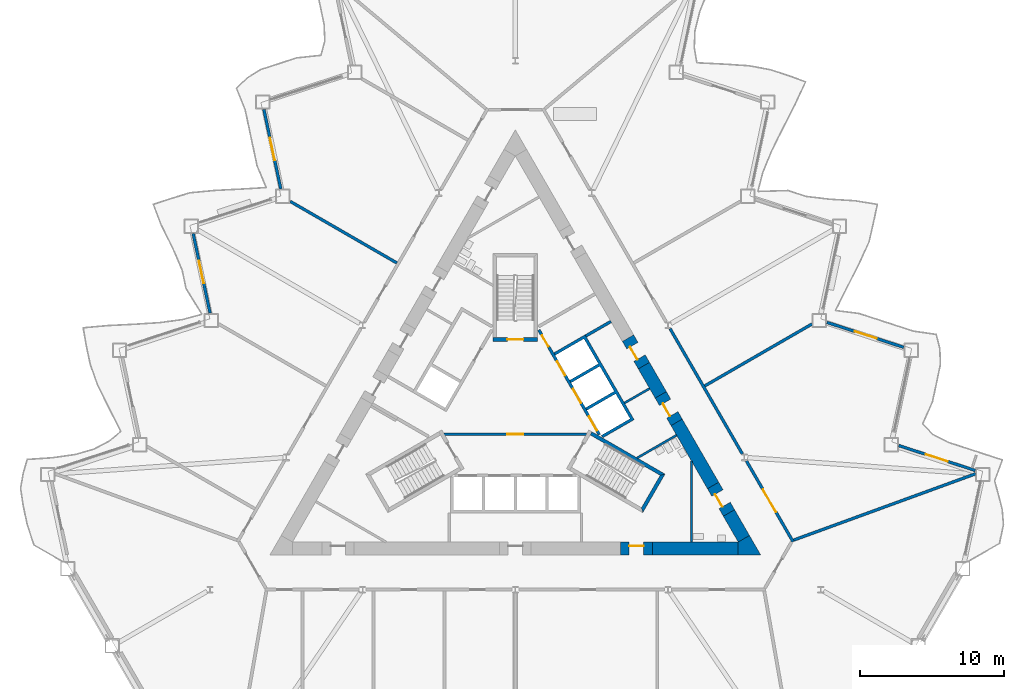
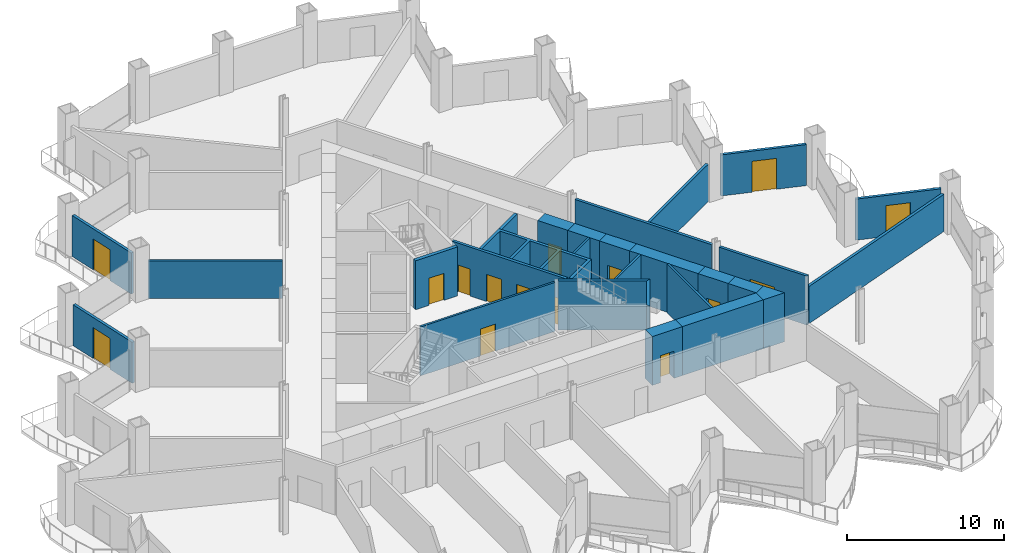
# One storey, part 11 of 21: 28 walls, 15 doors, 15 openings.
"""IFC4 building model written with IfcOpenShell, lengths in metres."""

from ifc_helpers import new_model, si_unit, direction, frame, frame_2d, origin, place, context, subcontext, project, spatial, polyline, rectangle, outline, extrude, material, layer, layer_set, type_object, element, fill, save


model = new_model("IFC4")

# Units and contexts
model_context = context("Model", 3, precision=1e-05, world=origin(), true_north=direction((0.0, 1.0)))
body_context = subcontext(model_context, "Body", "Model", "MODEL_VIEW")
ifc_project = project(units=[si_unit("LENGTHUNIT", "METRE"), si_unit("AREAUNIT", "SQUARE_METRE"), si_unit("VOLUMEUNIT", "CUBIC_METRE"), si_unit("PLANEANGLEUNIT", "RADIAN"), si_unit("MASSUNIT", "GRAM", prefix="KILO")], contexts=[model_context])

# Site, building, storey
site_placement = place(None, origin())
site = spatial("IfcSite", under=ifc_project, at=site_placement, CompositionType="ELEMENT")
building_placement = place(site_placement, origin())
building = spatial("IfcBuilding", under=site, at=building_placement, Name="Cormorant Prow Tower", CompositionType="ELEMENT")
storey_placement = place(building_placement, frame((0.0, 0.0, 72.0)))
storey = spatial("IfcBuildingStorey", under=building, at=storey_placement, Name="L15", CompositionType="ELEMENT", Elevation=72.0)

# Wall, opening, door
ifc_material_1 = material(Name="Gypsum board partition")
ifc_layer_1 = layer(ifc_material_1, 0.14990234375)
ifc_layer_set_1 = layer_set([ifc_layer_1], Name="Gypsum board partition")
wall_type_1 = type_object("IfcWallType", Name="Core partition 150", PredefinedType="PARTITIONING", material=ifc_layer_set_1)
wall_1_placement = place(storey_placement, frame((-4.941162109375, -1.449951171875, 0.0), z_axis=(0.0, 0.0, 1.0), x_axis=(1.0, 0.0, 0.0)))
wall_1 = element("IfcWall", 1, at=wall_1_placement, inside=storey, type_object=wall_type_1, Name="Firefighting lobby partition", PredefinedType="PARTITIONING", context=body_context, shape_type="SweptSolid", body=[
    extrude(rectangle(XDim=9.88232421875, YDim=0.14990234375, at=frame_2d((4.941162109375, 0.0))), origin(), (0.0, 0.0, 1.0), 3.800048828125),
])
opening_1_placement = place(wall_1_placement, frame((4.39111328125, 0.0, 0.0)))
opening_1 = element("IfcOpeningElement", 2, at=opening_1_placement, cuts=wall_1, Name="Opening L15-C10", PredefinedType="OPENING", context=body_context, shape_type="SweptSolid", body=[
    extrude(rectangle(XDim=1.10009765625, YDim=2.10009765625, at=frame_2d((0.550048828125, 1.050048828125))), frame((0.0, 0.0849609375, 0.0), z_axis=(0.0, -1.0, 0.0), x_axis=(1.0, 0.0, 0.0)), (0.0, 0.0, 1.0), 0.169921875),
])
ifc_material_2 = material(Name="Painted steel", Category="steel")
door_type_1 = type_object("IfcDoorType", Name="Firefighting lobby door 1100x2100", OperationType="NOTDEFINED", PredefinedType="DOOR", material=ifc_material_2)
door_1_placement = place(opening_1_placement, origin())
door_1 = element("IfcDoor", 3, at=door_1_placement, inside=storey, type_object=door_type_1, Name="Firefighting lobby door", OperationType="SINGLE_SWING_LEFT", OverallHeight=2.10009765625, OverallWidth=1.10009765625, PredefinedType="DOOR", context=body_context, shape_type="SweptSolid", body=[
    extrude(rectangle(XDim=1.10009765625, YDim=2.10009765625, at=frame_2d((0.550048828125, 1.050048828125))), frame((0.0, 0.02490234375, 0.0), z_axis=(0.0, -1.0, 0.0), x_axis=(1.0, 0.0, 0.0)), (0.0, 0.0, 1.0), 0.050048828125),
])
fill(opening_1, door_1)

# Walls
wall_2_placement = place(storey_placement, frame((9.3017578125, 1.71875, 0.0), z_axis=(0.0, 0.0, 1.0), x_axis=(-0.866035824272, -0.499981950752, 0.0)))
element("IfcWall", 4, at=wall_2_placement, inside=storey, type_object=wall_type_1, Name="Service room partition", PredefinedType="PARTITIONING", context=body_context, shape_type="SweptSolid", body=[
    extrude(rectangle(XDim=2.0087890625, YDim=0.14990234375, at=frame_2d((1.00439453125, 0.0))), origin(), (0.0, 0.0, 1.0), 3.800048828125),
])
wall_3_placement = place(storey_placement, frame((11.169921875, -1.516845703125, 0.0), z_axis=(0.0, 0.0, 1.0), x_axis=(-0.866037599206, -0.499978876315, 0.0)))
element("IfcWall", 5, at=wall_3_placement, inside=storey, type_object=wall_type_1, Name="Service room partition", PredefinedType="PARTITIONING", context=body_context, shape_type="SweptSolid", body=[
    extrude(rectangle(XDim=3.159423828125, YDim=0.14990234375, at=frame_2d((1.57958984375, 0.0))), origin(), (0.0, 0.0, 1.0), 3.800048828125),
])
wall_4_placement = place(storey_placement, frame((12.203857421875, -8.9150390625, 0.0), z_axis=(0.0, 0.0, 1.0), x_axis=(0.0, 1.0, 0.0)))
element("IfcWall", 6, at=wall_4_placement, inside=storey, type_object=wall_type_1, Name="Service room partition", PredefinedType="PARTITIONING", context=body_context, shape_type="SweptSolid", body=[
    extrude(rectangle(XDim=5.607421875, YDim=0.14990234375, at=frame_2d((2.8037109375, 0.0))), origin(), (0.0, 0.0, 1.0), 3.800048828125),
])
ifc_material_3 = material(Name="Concrete 8000 psi", Category="concrete")
ifc_layer_2 = layer(ifc_material_3, 0.89990234375)
ifc_layer_set_2 = layer_set([ifc_layer_2], Name="Concrete 8000 psi")
wall_type_2 = type_object("IfcWallType", Name="Core shear wall 900", PredefinedType="SHEAR", material=ifc_layer_set_2)
wall_5_placement = place(storey_placement, frame((9.489501953125, -9.364990234375, 0.0), z_axis=(0.0, 0.0, 1.0), x_axis=(1.0, 0.0, 0.0)))
element("IfcWall", 7, at=wall_5_placement, inside=storey, type_object=wall_type_2, Name="Core wall", PredefinedType="SHEAR", context=body_context, shape_type="SweptSolid", body=[
    extrude(rectangle(XDim=5.95166015625, YDim=0.89990234375, at=frame_2d((2.975830078125, 0.0))), origin(), (0.0, 0.0, 1.0), 3.800048828125),
])
wall_6_placement = place(storey_placement, frame((13.69970703125, -4.998779296875, 0.0), z_axis=(0.0, 0.0, 1.0), x_axis=(-0.499993158726, 0.86602935356, 0.0)))
element("IfcWall", 8, at=wall_6_placement, inside=storey, type_object=wall_type_2, Name="Core wall", PredefinedType="SHEAR", context=body_context, shape_type="SweptSolid", body=[
    extrude(rectangle(XDim=5.04833984375, YDim=0.89990234375, at=frame_2d((2.524169921875, 0.0))), origin(), (0.0, 0.0, 1.0), 3.800048828125),
])
wall_7_placement = place(storey_placement, frame((10.075439453125, 1.278564453125, 0.0), z_axis=(0.0, 0.0, 1.0), x_axis=(-0.500026924946, 0.866009858102, 0.0)))
element("IfcWall", 9, at=wall_7_placement, inside=storey, type_object=wall_type_2, Name="Core wall", PredefinedType="SHEAR", context=body_context, shape_type="SweptSolid", body=[
    extrude(rectangle(XDim=2.336669921875, YDim=0.89990234375, at=frame_2d((1.16845703125, 0.0))), origin(), (0.0, 0.0, 1.0), 3.800048828125),
])
wall_8_placement = place(storey_placement, frame((15.830810546875, -8.68994140625, 0.0), z_axis=(0.0, 0.0, 1.0), x_axis=(-0.499971832445, 0.866041665719, 0.0)))
element("IfcWall", 10, at=wall_8_placement, inside=storey, type_object=wall_type_2, Name="Core wall", PredefinedType="SHEAR", context=body_context, shape_type="SweptSolid", body=[
    extrude(rectangle(XDim=2.06201171875, YDim=0.89990234375, at=frame_2d((1.031005859375, 0.0))), origin(), (0.0, 0.0, 1.0), 3.800048828125),
])
wall_9_placement = place(storey_placement, origin())
element("IfcWall", 11, at=wall_9_placement, inside=storey, type_object=wall_type_2, Name="Core wall corner", PredefinedType="SHEAR", context=body_context, shape_type="SweptSolid", body=[
    extrude(outline(polyline([(15.441162109375, -9.81494140625), (15.441162109375, -8.9150390625), (16.220703125, -8.465087890625), (17.0, -9.81494140625), (15.441162109375, -9.81494140625)])), origin(), (0.0, 0.0, 1.0), 3.800048828125),
])

# Wall, opening, door
wall_10_placement = place(storey_placement, frame((14.7998046875, -6.904052734375, 0.0), z_axis=(0.0, 0.0, 1.0), x_axis=(-0.50002983664, 0.866008176907, 0.0)))
wall_10 = element("IfcWall", 12, at=wall_10_placement, inside=storey, type_object=wall_type_2, Name="Core wall door panel", PredefinedType="SHEAR", context=body_context, shape_type="SweptSolid", body=[
    extrude(rectangle(XDim=2.199951171875, YDim=0.89990234375, at=frame_2d((1.10009765625, 0.0))), origin(), (0.0, 0.0, 1.0), 3.800048828125),
])
opening_2_placement = place(wall_10_placement, frame((0.60009765625, 0.0, 0.0)))
opening_2 = element("IfcOpeningElement", 13, at=opening_2_placement, cuts=wall_10, Name="Opening L15-C16", PredefinedType="OPENING", context=body_context, shape_type="SweptSolid", body=[
    extrude(rectangle(XDim=1.0, YDim=2.10009765625, at=frame_2d((0.5, 1.050048828125))), frame((0.0, 0.4599609375, 0.0), z_axis=(0.0, -1.0, 0.0), x_axis=(1.0, 0.0, 0.0)), (0.0, 0.0, 1.0), 0.919921875),
])
ifc_material_4 = material(Name="Painted steel", Category="steel")
door_type_2 = type_object("IfcDoorType", Name="Service door 1000x2100", OperationType="NOTDEFINED", PredefinedType="DOOR", material=ifc_material_4)
door_2_placement = place(opening_2_placement, origin())
door_2 = element("IfcDoor", 14, at=door_2_placement, inside=storey, type_object=door_type_2, Name="Core door, Accessible WC L15", OperationType="SINGLE_SWING_RIGHT", OverallHeight=2.10009765625, OverallWidth=1.0, PredefinedType="DOOR", context=body_context, shape_type="SweptSolid", body=[
    extrude(rectangle(XDim=1.0, YDim=2.10009765625, at=frame_2d((0.5, 1.050048828125))), frame((0.0, 0.205078125, 0.0), z_axis=(0.0, -1.0, 0.0), x_axis=(1.0, 0.0, 0.0)), (0.0, 0.0, 1.0), 0.050048828125),
])
fill(opening_2, door_2)

wall_11_placement = place(storey_placement, frame((7.289306640625, -9.364990234375, 0.0), z_axis=(0.0, 0.0, 1.0), x_axis=(1.0, 0.0, 0.0)))
wall_11 = element("IfcWall", 15, at=wall_11_placement, inside=storey, type_object=wall_type_2, Name="Core wall door panel", PredefinedType="SHEAR", context=body_context, shape_type="SweptSolid", body=[
    extrude(rectangle(XDim=2.2001953125, YDim=0.89990234375, at=frame_2d((1.10009765625, 0.0))), origin(), (0.0, 0.0, 1.0), 3.800048828125),
])
opening_3_placement = place(wall_11_placement, frame((0.60009765625, 0.0, 0.0)))
opening_3 = element("IfcOpeningElement", 16, at=opening_3_placement, cuts=wall_11, Name="Opening L15-C17", PredefinedType="OPENING", context=body_context, shape_type="SweptSolid", body=[
    extrude(rectangle(XDim=1.0, YDim=2.10009765625, at=frame_2d((0.5, 1.050048828125))), frame((0.0, 0.4599609375, 0.0), z_axis=(0.0, -1.0, 0.0), x_axis=(1.0, 0.0, 0.0)), (0.0, 0.0, 1.0), 0.919921875),
])
door_3_placement = place(opening_3_placement, origin())
door_3 = element("IfcDoor", 17, at=door_3_placement, inside=storey, type_object=door_type_2, Name="Core door, Toilets (men) L15", OperationType="SINGLE_SWING_RIGHT", OverallHeight=2.10009765625, OverallWidth=1.0, PredefinedType="DOOR", context=body_context, shape_type="SweptSolid", body=[
    extrude(rectangle(XDim=1.0, YDim=2.10009765625, at=frame_2d((0.5, 1.050048828125))), frame((0.0, 0.205078125, 0.0), z_axis=(0.0, -1.0, 0.0), x_axis=(1.0, 0.0, 0.0)), (0.0, 0.0, 1.0), 0.050048828125),
])
fill(opening_3, door_3)

wall_12_placement = place(storey_placement, frame((11.175537109375, -0.626708984375, 0.0), z_axis=(0.0, 0.0, 1.0), x_axis=(-0.499946605688, 0.86605622881, 0.0)))
wall_12 = element("IfcWall", 18, at=wall_12_placement, inside=storey, type_object=wall_type_2, Name="Core wall door panel", PredefinedType="SHEAR", context=body_context, shape_type="SweptSolid", body=[
    extrude(rectangle(XDim=2.199951171875, YDim=0.89990234375, at=frame_2d((1.10009765625, 0.0))), origin(), (0.0, 0.0, 1.0), 3.800048828125),
])
opening_4_placement = place(wall_12_placement, frame((0.60009765625, 0.0, 0.0)))
opening_4 = element("IfcOpeningElement", 19, at=opening_4_placement, cuts=wall_12, Name="Opening L15-C19", PredefinedType="OPENING", context=body_context, shape_type="SweptSolid", body=[
    extrude(rectangle(XDim=1.0, YDim=2.10009765625, at=frame_2d((0.5, 1.050048828125))), frame((0.0, 0.4599609375, 0.0), z_axis=(0.0, -1.0, 0.0), x_axis=(1.0, 0.0, 0.0)), (0.0, 0.0, 1.0), 0.919921875),
])
door_4_placement = place(opening_4_placement, origin())
door_4 = element("IfcDoor", 20, at=door_4_placement, inside=storey, type_object=door_type_2, Name="Core door, Electrical room", OperationType="SINGLE_SWING_LEFT", OverallHeight=2.10009765625, OverallWidth=1.0, PredefinedType="DOOR", context=body_context, shape_type="SweptSolid", body=[
    extrude(rectangle(XDim=1.0, YDim=2.10009765625, at=frame_2d((0.5, 1.050048828125))), frame((0.0, 0.205078125, 0.0), z_axis=(0.0, -1.0, 0.0), x_axis=(1.0, 0.0, 0.0)), (0.0, 0.0, 1.0), 0.050048828125),
])
fill(opening_4, door_4)

wall_13_placement = place(storey_placement, frame((8.9072265625, 3.30224609375, 0.0), z_axis=(0.0, 0.0, 1.0), x_axis=(-0.50002983664, 0.866008176907, 0.0)))
wall_13 = element("IfcWall", 21, at=wall_13_placement, inside=storey, type_object=wall_type_2, Name="Core wall door panel", PredefinedType="SHEAR", context=body_context, shape_type="SweptSolid", body=[
    extrude(rectangle(XDim=2.199951171875, YDim=0.89990234375, at=frame_2d((1.10009765625, 0.0))), origin(), (0.0, 0.0, 1.0), 3.800048828125),
])
opening_5_placement = place(wall_13_placement, frame((0.60009765625, 0.0, 0.0)))
opening_5 = element("IfcOpeningElement", 22, at=opening_5_placement, cuts=wall_13, Name="Opening L15-C20", PredefinedType="OPENING", context=body_context, shape_type="SweptSolid", body=[
    extrude(rectangle(XDim=1.0, YDim=2.10009765625, at=frame_2d((0.5, 1.050048828125))), frame((0.0, 0.4599609375, 0.0), z_axis=(0.0, -1.0, 0.0), x_axis=(1.0, 0.0, 0.0)), (0.0, 0.0, 1.0), 0.919921875),
])
door_5_placement = place(opening_5_placement, origin())
door_5 = element("IfcDoor", 23, at=door_5_placement, inside=storey, type_object=door_type_2, Name="Core door, Linen store", OperationType="SINGLE_SWING_RIGHT", OverallHeight=2.10009765625, OverallWidth=1.0, PredefinedType="DOOR", context=body_context, shape_type="SweptSolid", body=[
    extrude(rectangle(XDim=1.0, YDim=2.10009765625, at=frame_2d((0.5, 1.050048828125))), frame((0.0, 0.205078125, 0.0), z_axis=(0.0, -1.0, 0.0), x_axis=(1.0, 0.0, 0.0)), (0.0, 0.0, 1.0), 0.050048828125),
])
fill(opening_5, door_5)

# Wall
ifc_material_5 = material(Name="Gypsum board corridor wall")
ifc_layer_3 = layer(ifc_material_5, 0.199951171875)
ifc_layer_set_3 = layer_set([ifc_layer_3], Name="Gypsum board corridor wall")
wall_type_3 = type_object("IfcWallType", Name="Corridor wall 200", PredefinedType="PARTITIONING", material=ifc_layer_set_3)
wall_14_placement = place(storey_placement, frame((10.718505859375, 5.865234375, 0.0), z_axis=(0.0, 0.0, 1.0), x_axis=(0.49999175339, -0.866030164915, 0.0)))
element("IfcWall", 24, at=wall_14_placement, inside=storey, type_object=wall_type_3, Name="Corridor wall", PredefinedType="PARTITIONING", context=body_context, shape_type="SweptSolid", body=[
    extrude(rectangle(XDim=10.018798828125, YDim=0.199951171875, at=frame_2d((5.00927734375, 0.0))), origin(), (0.0, 0.0, 1.0), 3.800048828125),
])

# Wall, opening, door
wall_15_placement = place(storey_placement, frame((16.007568359375, -3.2958984375, 0.0), z_axis=(0.0, 0.0, 1.0), x_axis=(0.499984737558, -0.86603421538, 0.0)))
wall_15 = element("IfcWall", 25, at=wall_15_placement, inside=storey, type_object=wall_type_3, Name="Corridor wall", PredefinedType="PARTITIONING", context=body_context, shape_type="SweptSolid", body=[
    extrude(rectangle(XDim=6.472900390625, YDim=0.199951171875, at=frame_2d((3.236328125, 0.0))), origin(), (0.0, 0.0, 1.0), 3.800048828125),
])
opening_6_placement = place(wall_15_placement, frame((2.285400390625, 0.0, 0.0)))
opening_6 = element("IfcOpeningElement", 26, at=opening_6_placement, cuts=wall_15, Name="Opening L15-F08", PredefinedType="OPENING", context=body_context, shape_type="SweptSolid", body=[
    extrude(rectangle(XDim=1.800048828125, YDim=2.10009765625, at=frame_2d((0.89990234375, 1.050048828125))), frame((0.0, 0.10986328125, 0.0), z_axis=(0.0, -1.0, 0.0), x_axis=(1.0, 0.0, 0.0)), (0.0, 0.0, 1.0), 0.219970703125),
])
ifc_material_6 = material(Name="Timber door leaf", Category="wood")
door_type_3 = type_object("IfcDoorType", Name="Double door 1800x2100", OperationType="DOUBLE_DOOR_SINGLE_SWING", PredefinedType="DOOR", material=ifc_material_6)
door_6_placement = place(opening_6_placement, origin())
door_6 = element("IfcDoor", 27, at=door_6_placement, inside=storey, type_object=door_type_3, Name="Open-plan office door", OperationType="DOUBLE_DOOR_SINGLE_SWING", OverallHeight=2.10009765625, OverallWidth=1.800048828125, PredefinedType="DOOR", context=body_context, shape_type="SweptSolid", body=[
    extrude(rectangle(XDim=1.800048828125, YDim=2.10009765625, at=frame_2d((0.89990234375, 1.050048828125))), frame((0.0, 0.02490234375, 0.0), z_axis=(0.0, -1.0, 0.0), x_axis=(1.0, 0.0, 0.0)), (0.0, 0.0, 1.0), 0.050048828125),
])
fill(opening_6, door_6)

# Walls
ifc_material_7 = material(Name="Gypsum board demising wall")
ifc_layer_4 = layer(ifc_material_7, 0.199951171875)
ifc_layer_set_4 = layer_set([ifc_layer_4], Name="Gypsum board demising wall")
wall_type_4 = type_object("IfcWallType", Name="Demising wall 200", PredefinedType="PARTITIONING", material=ifc_layer_set_4)
wall_16_placement = place(storey_placement, frame((19.287841796875, -8.78076171875, 0.0), z_axis=(0.0, 0.0, 1.0), x_axis=(0.939515478087, 0.34250644729, 0.0)))
element("IfcWall", 28, at=wall_16_placement, inside=storey, type_object=wall_type_4, Name="Demising wall", PredefinedType="PARTITIONING", context=body_context, shape_type="SweptSolid", body=[
    extrude(rectangle(XDim=13.402099609375, YDim=0.199951171875, at=frame_2d((6.701171875, 0.0))), origin(), (0.0, 0.0, 1.0), 2.88525390625),
])
wall_17_placement = place(storey_placement, frame((13.12353515625, 1.899169921875, 0.0), z_axis=(0.0, 0.0, 1.0), x_axis=(0.866024086673, 0.500002281298, 0.0)))
element("IfcWall", 29, at=wall_17_placement, inside=storey, type_object=wall_type_4, Name="Demising wall", PredefinedType="PARTITIONING", context=body_context, shape_type="SweptSolid", body=[
    extrude(rectangle(XDim=8.58447265625, YDim=0.199951171875, at=frame_2d((4.292236328125, 0.0))), origin(), (0.0, 0.0, 1.0), 2.88525390625),
])
wall_18_placement = place(storey_placement, frame((-15.591796875, 14.6796875, 0.0), z_axis=(0.0, 0.0, 1.0), x_axis=(0.866023490266, -0.500003314297, 0.0)))
element("IfcWall", 30, at=wall_18_placement, inside=storey, type_object=wall_type_4, Name="Demising wall", PredefinedType="PARTITIONING", context=body_context, shape_type="SweptSolid", body=[
    extrude(rectangle(XDim=8.52783203125, YDim=0.199951171875, at=frame_2d((4.263916015625, 0.0))), origin(), (0.0, 0.0, 1.0), 2.88525390625),
])

# Wall, openings, doors
ifc_material_8 = material(Name="Concrete 5000 psi", Category="concrete")
ifc_layer_5 = layer(ifc_material_8, 0.199951171875)
ifc_layer_set_5 = layer_set([ifc_layer_5], Name="Concrete 5000 psi")
wall_type_5 = type_object("IfcWallType", Name="Lift lobby wall 200", PredefinedType="SOLIDWALL", material=ifc_layer_set_5)
wall_19_placement = place(storey_placement, frame((5.817138671875, -1.4755859375, 0.0), z_axis=(0.0, 0.0, 1.0), x_axis=(-0.500002616675, 0.866023893041, 0.0)))
wall_19 = element("IfcWall", 31, at=wall_19_placement, inside=storey, type_object=wall_type_5, Name="Lift lobby wall, ENE block", PredefinedType="SOLIDWALL", context=body_context, shape_type="SweptSolid", body=[
    extrude(rectangle(XDim=8.373046875, YDim=0.199951171875, at=frame_2d((4.1865234375, 0.0))), origin(), (0.0, 0.0, 1.0), 3.800048828125),
])
opening_7_placement = place(wall_19_placement, frame((0.336669921875, 0.0, 0.0)))
opening_7 = element("IfcOpeningElement", 32, at=opening_7_placement, cuts=wall_19, Name="Opening L15-C05", PredefinedType="OPENING", context=body_context, shape_type="SweptSolid", body=[
    extrude(rectangle(XDim=1.10009765625, YDim=2.10009765625, at=frame_2d((0.550048828125, 1.050048828125))), frame((0.0, 0.10986328125, 0.0), z_axis=(0.0, -1.0, 0.0), x_axis=(1.0, 0.0, 0.0)), (0.0, 0.0, 1.0), 0.219970703125),
])
opening_8_placement = place(wall_19_placement, frame((2.53662109375, 0.0, 0.0)))
opening_8 = element("IfcOpeningElement", 33, at=opening_8_placement, cuts=wall_19, Name="Opening L15-C06", PredefinedType="OPENING", context=body_context, shape_type="SweptSolid", body=[
    extrude(rectangle(XDim=1.10009765625, YDim=2.10009765625, at=frame_2d((0.550048828125, 1.050048828125))), frame((0.0, 0.10986328125, 0.0), z_axis=(0.0, -1.0, 0.0), x_axis=(1.0, 0.0, 0.0)), (0.0, 0.0, 1.0), 0.219970703125),
])
opening_9_placement = place(wall_19_placement, frame((4.736572265625, 0.0, 0.0)))
opening_9 = element("IfcOpeningElement", 34, at=opening_9_placement, cuts=wall_19, Name="Opening L15-C07", PredefinedType="OPENING", context=body_context, shape_type="SweptSolid", body=[
    extrude(rectangle(XDim=1.10009765625, YDim=2.10009765625, at=frame_2d((0.550048828125, 1.050048828125))), frame((0.0, 0.10986328125, 0.0), z_axis=(0.0, -1.0, 0.0), x_axis=(1.0, 0.0, 0.0)), (0.0, 0.0, 1.0), 0.219970703125),
])
opening_10_placement = place(wall_19_placement, frame((7.03662109375, 0.0, 0.0)))
opening_10 = element("IfcOpeningElement", 35, at=opening_10_placement, cuts=wall_19, Name="Opening L15-C08", PredefinedType="OPENING", context=body_context, shape_type="SweptSolid", body=[
    extrude(rectangle(XDim=0.89990234375, YDim=2.10009765625, at=frame_2d((0.449951171875, 1.050048828125))), frame((0.0, 0.10986328125, 0.0), z_axis=(0.0, -1.0, 0.0), x_axis=(1.0, 0.0, 0.0)), (0.0, 0.0, 1.0), 0.219970703125),
])
ifc_material_9 = material(Name="Painted steel", Category="steel")
door_type_4 = type_object("IfcDoorType", Name="Lift landing door 1100x2100", OperationType="SLIDING_TO_LEFT", PredefinedType="DOOR", material=ifc_material_9)
door_7_placement = place(opening_7_placement, origin())
door_7 = element("IfcDoor", 36, at=door_7_placement, inside=storey, type_object=door_type_4, Name="Landing door LR2", OperationType="SLIDING_TO_LEFT", OverallHeight=2.10009765625, OverallWidth=1.10009765625, PredefinedType="DOOR", context=body_context, shape_type="SweptSolid", body=[
    extrude(rectangle(XDim=1.10009765625, YDim=2.10009765625, at=frame_2d((0.550048828125, 1.050048828125))), frame((0.0, 0.02490234375, 0.0), z_axis=(0.0, -1.0, 0.0), x_axis=(1.0, 0.0, 0.0)), (0.0, 0.0, 1.0), 0.050048828125),
])
fill(opening_7, door_7)
door_8_placement = place(opening_8_placement, origin())
door_8 = element("IfcDoor", 37, at=door_8_placement, inside=storey, type_object=door_type_4, Name="Landing door LR3", OperationType="SLIDING_TO_LEFT", OverallHeight=2.10009765625, OverallWidth=1.10009765625, PredefinedType="DOOR", context=body_context, shape_type="SweptSolid", body=[
    extrude(rectangle(XDim=1.10009765625, YDim=2.10009765625, at=frame_2d((0.550048828125, 1.050048828125))), frame((0.0, 0.02490234375, 0.0), z_axis=(0.0, -1.0, 0.0), x_axis=(1.0, 0.0, 0.0)), (0.0, 0.0, 1.0), 0.050048828125),
])
fill(opening_8, door_8)
door_9_placement = place(opening_9_placement, origin())
door_9 = element("IfcDoor", 38, at=door_9_placement, inside=storey, type_object=door_type_4, Name="Landing door LR4", OperationType="SLIDING_TO_LEFT", OverallHeight=2.10009765625, OverallWidth=1.10009765625, PredefinedType="DOOR", context=body_context, shape_type="SweptSolid", body=[
    extrude(rectangle(XDim=1.10009765625, YDim=2.10009765625, at=frame_2d((0.550048828125, 1.050048828125))), frame((0.0, 0.02490234375, 0.0), z_axis=(0.0, -1.0, 0.0), x_axis=(1.0, 0.0, 0.0)), (0.0, 0.0, 1.0), 0.050048828125),
])
fill(opening_9, door_9)
ifc_material_10 = material(Name="Painted steel", Category="steel")
door_type_5 = type_object("IfcDoorType", Name="Service door 900x2100", OperationType="NOTDEFINED", PredefinedType="DOOR", material=ifc_material_10)
door_10_placement = place(opening_10_placement, origin())
door_10 = element("IfcDoor", 39, at=door_10_placement, inside=storey, type_object=door_type_5, Name="Service door, Linen store", OperationType="SINGLE_SWING_RIGHT", OverallHeight=2.10009765625, OverallWidth=0.89990234375, PredefinedType="DOOR", context=body_context, shape_type="SweptSolid", body=[
    extrude(rectangle(XDim=0.89990234375, YDim=2.10009765625, at=frame_2d((0.449951171875, 1.050048828125))), frame((0.0, 0.02490234375, 0.0), z_axis=(0.0, -1.0, 0.0), x_axis=(1.0, 0.0, 0.0)), (0.0, 0.0, 1.0), 0.050048828125),
])
fill(opening_10, door_10)

# Walls
ifc_material_11 = material(Name="Concrete 8000 psi", Category="concrete")
ifc_layer_6 = layer(ifc_material_11, 0.199951171875)
ifc_layer_set_6 = layer_set([ifc_layer_6], Name="Concrete 8000 psi")
wall_type_6 = type_object("IfcWallType", Name="Lift shaft wall 200", PredefinedType="SHEAR", material=ifc_layer_set_6)
wall_20_placement = place(storey_placement, origin())
element("IfcWall", 40, at=wall_20_placement, inside=storey, type_object=wall_type_6, Name="Lift shaft walls, ENE block", PredefinedType="SHEAR", context=body_context, shape_type="SweptSolid", body=[
    extrude(outline(polyline([(2.660400390625, 4.19189453125), (4.830810546875, 5.44482421875), (8.230712890625, -0.444091796875), (6.060546875, -1.697021484375), (5.96044921875, -1.52392578125), (7.952392578125, -0.373779296875), (6.952392578125, 1.358154296875), (4.96044921875, 0.2080078125), (4.860595703125, 0.38134765625), (6.852294921875, 1.53125), (5.852294921875, 3.263427734375), (3.860595703125, 2.11328125), (3.760498046875, 2.28662109375), (5.75244140625, 3.4365234375), (4.75244140625, 5.168701171875), (2.760498046875, 4.018798828125), (2.660400390625, 4.19189453125)])), origin(), (0.0, 0.0, 1.0), 3.800048828125),
])
wall_21_placement = place(storey_placement, frame((4.880859375, 5.3583984375, 0.0), z_axis=(0.0, 0.0, 1.0), x_axis=(0.866035824272, 0.499981950752, 0.0)))
element("IfcWall", 41, at=wall_21_placement, inside=storey, type_object=wall_type_6, Name="Store side wall", PredefinedType="SHEAR", context=body_context, shape_type="SweptSolid", body=[
    extrude(rectangle(XDim=2.0087890625, YDim=0.199951171875, at=frame_2d((1.00439453125, 0.0))), origin(), (0.0, 0.0, 1.0), 3.800048828125),
])
ifc_material_12 = material(Name="Concrete 8000 psi", Category="concrete")
ifc_layer_7 = layer(ifc_material_12, 0.25)
ifc_layer_set_7 = layer_set([ifc_layer_7], Name="Concrete 8000 psi")
wall_type_7 = type_object("IfcWallType", Name="Stair wall 250", PredefinedType="SHEAR", material=ifc_layer_set_7)
wall_22_placement = place(storey_placement, origin())
element("IfcWall", 42, at=wall_22_placement, inside=storey, type_object=wall_type_7, Name="Stair ST2 enclosure wall (end)", PredefinedType="SHEAR", context=body_context, shape_type="SweptSolid", body=[
    extrude(outline(polyline([(8.82958984375, -6.880615234375), (10.37353515625, -4.206298828125), (10.031982421875, -4.2978515625), (8.738037109375, -6.5390625), (8.82958984375, -6.880615234375)])), origin(), (0.0, 0.0, 1.0), 3.800048828125),
])
wall_23_placement = place(storey_placement, origin())
element("IfcWall", 43, at=wall_23_placement, inside=storey, type_object=wall_type_7, Name="Stair ST2 enclosure wall (flank)", PredefinedType="SHEAR", context=body_context, shape_type="SweptSolid", body=[
    extrude(outline(polyline([(10.031982421875, -4.2978515625), (10.37353515625, -4.206298828125), (5.30712890625, -1.28125), (5.18212890625, -1.497802734375), (10.031982421875, -4.2978515625)])), origin(), (0.0, 0.0, 1.0), 3.800048828125),
])

# Wall, opening, door
wall_24_placement = place(storey_placement, frame((1.5439453125, 5.11181640625, 0.0), z_axis=(0.0, 0.0, 1.0), x_axis=(-1.0, 0.0, 0.0)))
wall_24 = element("IfcWall", 44, at=wall_24_placement, inside=storey, type_object=wall_type_7, Name="Stair ST3 door wall", PredefinedType="SHEAR", context=body_context, shape_type="SweptSolid", body=[
    extrude(rectangle(XDim=3.087890625, YDim=0.25, at=frame_2d((1.5439453125, 0.0))), origin(), (0.0, 0.0, 1.0), 3.800048828125),
])
opening_11_placement = place(wall_24_placement, frame((0.993896484375, 0.0, 0.0)))
opening_11 = element("IfcOpeningElement", 45, at=opening_11_placement, cuts=wall_24, Name="Opening L15-C13", PredefinedType="OPENING", context=body_context, shape_type="SweptSolid", body=[
    extrude(rectangle(XDim=1.10009765625, YDim=2.10009765625, at=frame_2d((0.550048828125, 1.050048828125))), frame((0.0, 0.135009765625, 0.0), z_axis=(0.0, -1.0, 0.0), x_axis=(1.0, 0.0, 0.0)), (0.0, 0.0, 1.0), 0.27001953125),
])
ifc_material_13 = material(Name="Painted steel", Category="steel")
door_type_6 = type_object("IfcDoorType", Name="Stair door 1100x2100", OperationType="NOTDEFINED", PredefinedType="DOOR", material=ifc_material_13)
door_11_placement = place(opening_11_placement, origin())
door_11 = element("IfcDoor", 46, at=door_11_placement, inside=storey, type_object=door_type_6, Name="Stair ST3 door", OperationType="SINGLE_SWING_LEFT", OverallHeight=2.10009765625, OverallWidth=1.10009765625, PredefinedType="DOOR", context=body_context, shape_type="SweptSolid", body=[
    extrude(rectangle(XDim=1.10009765625, YDim=2.10009765625, at=frame_2d((0.550048828125, 1.050048828125))), frame((0.0, 0.02490234375, 0.0), z_axis=(0.0, -1.0, 0.0), x_axis=(1.0, 0.0, 0.0)), (0.0, 0.0, 1.0), 0.050048828125),
])
fill(opening_11, door_11)

ifc_material_14 = material(Name="Terracotta", Category="masonry")
ifc_layer_8 = layer(ifc_material_14, 0.199951171875)
ifc_layer_set_8 = layer_set([ifc_layer_8], Name="Terracotta")
wall_type_8 = type_object("IfcWallType", Name="Terracotta jamb wall 200", PredefinedType="SOLIDWALL", material=ifc_layer_set_8)
wall_25_placement = place(storey_placement, frame((31.86474609375, -3.957763671875, 0.0), z_axis=(0.0, 0.0, 1.0), x_axis=(-0.951066864375, 0.308985144444, 0.0)))
wall_25 = element("IfcWall", 47, at=wall_25_placement, inside=storey, type_object=wall_type_8, Name="Terracotta jamb wall ENE01", PredefinedType="SOLIDWALL", context=body_context, shape_type="SweptSolid", body=[
    extrude(rectangle(XDim=5.5791015625, YDim=0.199951171875, at=frame_2d((2.78955078125, 0.0))), origin(), (0.0, 0.0, 1.0), 3.18896484375),
])
opening_12_placement = place(wall_25_placement, frame((2.00341796875, 0.0, 0.0)))
opening_12 = element("IfcOpeningElement", 48, at=opening_12_placement, cuts=wall_25, Name="Opening ED15.06", PredefinedType="OPENING", context=body_context, shape_type="SweptSolid", body=[
    extrude(rectangle(XDim=1.60009765625, YDim=2.39990234375, at=frame_2d((0.800048828125, 1.199951171875))), frame((0.0, 0.10986328125, 0.0), z_axis=(0.0, -1.0, 0.0), x_axis=(1.0, 0.0, 0.0)), (0.0, 0.0, 1.0), 0.219970703125),
])
ifc_material_15 = material(Name="Aluminium 6063-T6", Category="aluminium")
door_type_7 = type_object("IfcDoorType", Name="Balcony door 1600x2400", OperationType="DOUBLE_DOOR_SINGLE_SWING", PredefinedType="DOOR", material=ifc_material_15)
door_12_placement = place(opening_12_placement, origin())
door_12 = element("IfcDoor", 49, at=door_12_placement, inside=storey, type_object=door_type_7, Name="Balcony door ENE01 ED15.06", OperationType="DOUBLE_DOOR_SINGLE_SWING", OverallHeight=2.39990234375, OverallWidth=1.60009765625, PredefinedType="DOOR", context=body_context, shape_type="SweptSolid", body=[
    extrude(rectangle(XDim=1.60009765625, YDim=2.39990234375, at=frame_2d((0.800048828125, 1.199951171875))), frame((0.0, 0.02490234375, 0.0), z_axis=(0.0, -1.0, 0.0), x_axis=(1.0, 0.0, 0.0)), (0.0, 0.0, 1.0), 0.050048828125),
])
fill(opening_12, door_12)

wall_26_placement = place(storey_placement, frame((26.898681640625, 4.57470703125, 0.0), z_axis=(0.0, 0.0, 1.0), x_axis=(-0.951066864375, 0.308985144444, 0.0)))
wall_26 = element("IfcWall", 50, at=wall_26_placement, inside=storey, type_object=wall_type_8, Name="Terracotta jamb wall ENE03", PredefinedType="SOLIDWALL", context=body_context, shape_type="SweptSolid", body=[
    extrude(rectangle(XDim=5.5791015625, YDim=0.199951171875, at=frame_2d((2.78955078125, 0.0))), origin(), (0.0, 0.0, 1.0), 3.18896484375),
])
opening_13_placement = place(wall_26_placement, frame((1.951904296875, 0.0, 0.0)))
opening_13 = element("IfcOpeningElement", 51, at=opening_13_placement, cuts=wall_26, Name="Opening ED15.07", PredefinedType="OPENING", context=body_context, shape_type="SweptSolid", body=[
    extrude(rectangle(XDim=1.60009765625, YDim=2.39990234375, at=frame_2d((0.800048828125, 1.199951171875))), frame((0.0, 0.10986328125, 0.0), z_axis=(0.0, -1.0, 0.0), x_axis=(1.0, 0.0, 0.0)), (0.0, 0.0, 1.0), 0.219970703125),
])
door_13_placement = place(opening_13_placement, origin())
door_13 = element("IfcDoor", 52, at=door_13_placement, inside=storey, type_object=door_type_7, Name="Balcony door ENE03 ED15.07", OperationType="DOUBLE_DOOR_SINGLE_SWING", OverallHeight=2.39990234375, OverallWidth=1.60009765625, PredefinedType="DOOR", context=body_context, shape_type="SweptSolid", body=[
    extrude(rectangle(XDim=1.60009765625, YDim=2.39990234375, at=frame_2d((0.800048828125, 1.199951171875))), frame((0.0, 0.02490234375, 0.0), z_axis=(0.0, -1.0, 0.0), x_axis=(1.0, 0.0, 0.0)), (0.0, 0.0, 1.0), 0.050048828125),
])
fill(opening_13, door_13)

wall_27_placement = place(storey_placement, frame((-17.420166015625, 21.050537109375, 0.0), z_axis=(0.0, 0.0, 1.0), x_axis=(0.207901831982, -0.978149696242, 0.0)))
wall_27 = element("IfcWall", 53, at=wall_27_placement, inside=storey, type_object=wall_type_8, Name="Terracotta jamb wall WNW03", PredefinedType="SOLIDWALL", context=body_context, shape_type="SweptSolid", body=[
    extrude(rectangle(XDim=5.626220703125, YDim=0.199951171875, at=frame_2d((2.81298828125, 0.0))), origin(), (0.0, 0.0, 1.0), 3.18896484375),
])
opening_14_placement = place(wall_27_placement, frame((1.995849609375, 0.0, 0.0)))
opening_14 = element("IfcOpeningElement", 54, at=opening_14_placement, cuts=wall_27, Name="Opening ED15.12", PredefinedType="OPENING", context=body_context, shape_type="SweptSolid", body=[
    extrude(rectangle(XDim=1.60009765625, YDim=2.39990234375, at=frame_2d((0.800048828125, 1.199951171875))), frame((0.0, 0.10986328125, 0.0), z_axis=(0.0, -1.0, 0.0), x_axis=(1.0, 0.0, 0.0)), (0.0, 0.0, 1.0), 0.219970703125),
])
door_14_placement = place(opening_14_placement, origin())
door_14 = element("IfcDoor", 55, at=door_14_placement, inside=storey, type_object=door_type_7, Name="Balcony door WNW03 ED15.12", OperationType="DOUBLE_DOOR_SINGLE_SWING", OverallHeight=2.39990234375, OverallWidth=1.60009765625, PredefinedType="DOOR", context=body_context, shape_type="SweptSolid", body=[
    extrude(rectangle(XDim=1.60009765625, YDim=2.39990234375, at=frame_2d((0.800048828125, 1.199951171875))), frame((0.0, 0.02490234375, 0.0), z_axis=(0.0, -1.0, 0.0), x_axis=(1.0, 0.0, 0.0)), (0.0, 0.0, 1.0), 0.050048828125),
])
fill(opening_14, door_14)

wall_28_placement = place(storey_placement, frame((-22.319091796875, 12.448974609375, 0.0), z_axis=(0.0, 0.0, 1.0), x_axis=(0.207901831982, -0.978149696242, 0.0)))
wall_28 = element("IfcWall", 56, at=wall_28_placement, inside=storey, type_object=wall_type_8, Name="Terracotta jamb wall WNW05", PredefinedType="SOLIDWALL", context=body_context, shape_type="SweptSolid", body=[
    extrude(rectangle(XDim=5.626220703125, YDim=0.199951171875, at=frame_2d((2.81298828125, 0.0))), origin(), (0.0, 0.0, 1.0), 3.18896484375),
])
opening_15_placement = place(wall_28_placement, frame((1.908935546875, 0.0, 0.0)))
opening_15 = element("IfcOpeningElement", 57, at=opening_15_placement, cuts=wall_28, Name="Opening ED15.13", PredefinedType="OPENING", context=body_context, shape_type="SweptSolid", body=[
    extrude(rectangle(XDim=1.60009765625, YDim=2.39990234375, at=frame_2d((0.800048828125, 1.199951171875))), frame((0.0, 0.10986328125, 0.0), z_axis=(0.0, -1.0, 0.0), x_axis=(1.0, 0.0, 0.0)), (0.0, 0.0, 1.0), 0.219970703125),
])
door_15_placement = place(opening_15_placement, origin())
door_15 = element("IfcDoor", 58, at=door_15_placement, inside=storey, type_object=door_type_7, Name="Balcony door WNW05 ED15.13", OperationType="DOUBLE_DOOR_SINGLE_SWING", OverallHeight=2.39990234375, OverallWidth=1.60009765625, PredefinedType="DOOR", context=body_context, shape_type="SweptSolid", body=[
    extrude(rectangle(XDim=1.60009765625, YDim=2.39990234375, at=frame_2d((0.800048828125, 1.199951171875))), frame((0.0, 0.02490234375, 0.0), z_axis=(0.0, -1.0, 0.0), x_axis=(1.0, 0.0, 0.0)), (0.0, 0.0, 1.0), 0.050048828125),
])
fill(opening_15, door_15)

save(model, "model.ifc")
